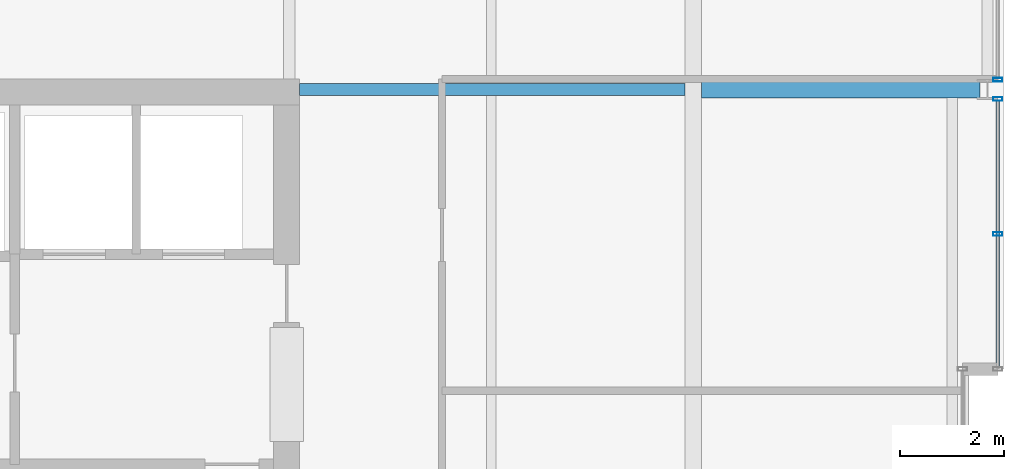
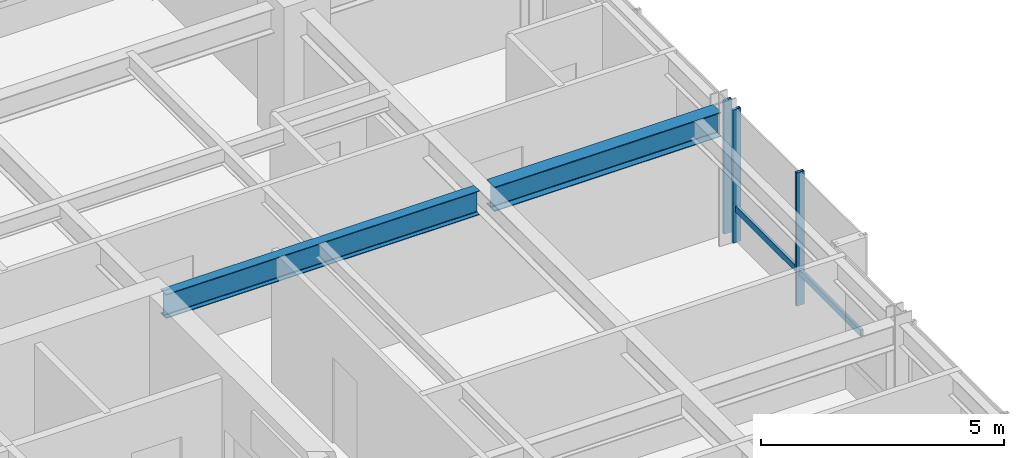
# One storey, part 22 of 32: 4 members, 2 beams, 2 elements without a shape of their own.
"""IFC4 building model written with IfcOpenShell, lengths in metres."""

from ifc_helpers import new_model, si_unit, direction, frame, origin, origin_2d, place, context, subcontext, project, spatial, hollow_rectangle, i_section, extrude, material, layer, layer_set, material_profile, profile_set, type_object, element, aggregate, save


model = new_model("IFC4")

# Units and contexts
model_context = context("Model", 3, precision=1e-05, world=origin(), true_north=direction((0.0, 1.0)))
body_context = subcontext(model_context, "Body", "Model", "MODEL_VIEW")
ifc_project = project(units=[si_unit("LENGTHUNIT", "METRE"), si_unit("AREAUNIT", "SQUARE_METRE"), si_unit("VOLUMEUNIT", "CUBIC_METRE"), si_unit("PLANEANGLEUNIT", "RADIAN"), si_unit("MASSUNIT", "GRAM", prefix="KILO")], contexts=[model_context])

# Site, building, storey
site_placement = place(None, origin())
site = spatial("IfcSite", under=ifc_project, at=site_placement, CompositionType="ELEMENT")
building_placement = place(site_placement, origin())
building = spatial("IfcBuilding", under=site, at=building_placement, Name="Drelvath Grand Hotel", CompositionType="ELEMENT")
storey_placement = place(building_placement, frame((0.0, 0.0, 226.699951171875)))
storey = spatial("IfcBuildingStorey", under=building, at=storey_placement, Name="L59", CompositionType="ELEMENT", Elevation=226.699951171875)

# Curtain wall, members
ifc_material_1 = material(Name="Platinum-Mist Anodised Aluminium Frame", Category="aluminium")
ifc_layer = layer(ifc_material_1, 0.199951171875)
ifc_layer_set = layer_set([ifc_layer], Name="Platinum-Mist Anodised Aluminium Frame")
curtain_wall_type = type_object("IfcCurtainWallType", Name="Stick Curtain Wall CW-05 Platinum Mist High-Rise", PredefinedType="NOTDEFINED", material=ifc_layer_set)
curtain_wall_1_placement = place(storey_placement, origin())
curtain_wall_1 = element("IfcCurtainWall", 1, at=curtain_wall_1_placement, inside=storey, type_object=curtain_wall_type, Name="L59 CW-05 Curtain Wall CW05-L59-EN1", PredefinedType="NOTDEFINED")
ifc_material_profile_1 = material_profile(ifc_material_1, hollow_rectangle(XDim=0.06494140625, YDim=0.159912109375, WallThickness=0.00390625, at=origin_2d()), Name="HSS160X65X4")
ifc_profile_set_1 = profile_set([ifc_material_profile_1], Name="Platinum-Mist Anodised Aluminium Frame")
member_type_1 = type_object("IfcMemberType", Name="Curtain Wall Horizontal Transom CW-05 HSS160X65X4", PredefinedType="USERDEFINED", material=ifc_profile_set_1)
member_1_placement = place(storey_placement, frame((22.080078125, 35.1748046875, 0.8349609375), z_axis=(0.0, -1.0, 0.0), x_axis=(1.0, 0.0, 0.0)))
member_1 = element("IfcMember", 2, at=member_1_placement, type_object=member_type_1, Name="CW05-L59-EN1 Sill Transom", ObjectType="TRANSOM", PredefinedType="USERDEFINED", context=body_context, shape_type="SweptSolid", body=[
    extrude(hollow_rectangle(XDim=0.06494140625, YDim=0.159912109375, WallThickness=0.00390625, at=origin_2d()), origin(), (0.0, 0.0, 1.0), 5.134765625),
])
ifc_material_profile_2 = material_profile(ifc_material_1, hollow_rectangle(XDim=0.074951171875, YDim=0.179931640625, WallThickness=0.0048828125, at=origin_2d()), Name="HSS180X75X5")
ifc_profile_set_2 = profile_set([ifc_material_profile_2], Name="Platinum-Mist Anodised Aluminium Frame")
member_type_2 = type_object("IfcMemberType", Name="Curtain Wall Vertical Mullion CW-05 HSS180X75X5", PredefinedType="MULLION", material=ifc_profile_set_2)
member_2_placement = place(storey_placement, frame((22.080078125, 35.214599609375, 0.0), z_axis=(0.0, 0.0, 1.0), x_axis=(0.0, 1.0, 0.0)))
member_2 = element("IfcMember", 3, at=member_2_placement, type_object=member_type_2, Name="CW05-L59-EN1 Mullion 1", PredefinedType="MULLION", context=body_context, shape_type="SweptSolid", body=[
    extrude(hollow_rectangle(XDim=0.074951171875, YDim=0.179931640625, WallThickness=0.0048828125, at=origin_2d()), origin(), (0.0, 0.0, 1.0), 3.340087890625),
])
member_3_placement = place(storey_placement, frame((22.080078125, 32.607421875, 0.0), z_axis=(0.0, 0.0, 1.0), x_axis=(0.0, 1.0, 0.0)))
member_3 = element("IfcMember", 4, at=member_3_placement, type_object=member_type_2, Name="CW05-L59-EN1 Mullion 2", PredefinedType="MULLION", context=body_context, shape_type="SweptSolid", body=[
    extrude(hollow_rectangle(XDim=0.074951171875, YDim=0.179931640625, WallThickness=0.0048828125, at=origin_2d()), origin(), (0.0, 0.0, 1.0), 3.340087890625),
])
aggregate(curtain_wall_1, [member_2, member_3, member_1])

# Curtain wall, member
curtain_wall_2_placement = place(storey_placement, origin())
curtain_wall_2 = element("IfcCurtainWall", 5, at=curtain_wall_2_placement, inside=storey, type_object=curtain_wall_type, Name="L59 CW-05 Curtain Wall CW05-L59-EN2", PredefinedType="NOTDEFINED")
member_4_placement = place(storey_placement, frame((22.080078125, 35.585205078125, 0.0), z_axis=(0.0, 0.0, 1.0), x_axis=(0.0, 1.0, 0.0)))
member_4 = element("IfcMember", 6, at=member_4_placement, type_object=member_type_2, Name="CW05-L59-EN2 Mullion 3", PredefinedType="MULLION", context=body_context, shape_type="SweptSolid", body=[
    extrude(hollow_rectangle(XDim=0.074951171875, YDim=0.179931640625, WallThickness=0.0048828125, at=origin_2d()), origin(), (0.0, 0.0, 1.0), 3.340087890625),
])
aggregate(curtain_wall_2, [member_4])

# Beams
ifc_material_2 = material(Name="Steel ASTM A992 Gr 50", Category="steel")
ifc_material_profile_3 = material_profile(ifc_material_2, i_section(OverallWidth=0.323974609375, OverallDepth=0.611083984375, WebThickness=0.0126953125, FlangeThickness=0.01904296875, FilletRadius=0.02197265625, at=origin_2d()), Name="W24X104")
ifc_profile_set_3 = profile_set([ifc_material_profile_3], Name="Steel ASTM A992 Gr 50")
beam_type_1 = type_object("IfcBeamType", Name="Primary Floor Girder W24X104", PredefinedType="BEAM", material=ifc_profile_set_3)
beam_1_placement = place(storey_placement, frame((16.362060546875, 35.39990234375, 3.034423828125), z_axis=(1.0, 0.0, 0.0), x_axis=(0.0, 1.0, 0.0)))
element("IfcBeam", 7, at=beam_1_placement, inside=storey, type_object=beam_type_1, Name="L59 East Wing Girder F", PredefinedType="BEAM", context=body_context, shape_type="SweptSolid", body=[
    extrude(i_section(OverallWidth=0.323974609375, OverallDepth=0.611083984375, WebThickness=0.0126953125, FlangeThickness=0.01904296875, FilletRadius=0.02197265625, at=origin_2d()), origin(), (0.0, 0.0, 1.0), 5.3779296875),
])
ifc_material_profile_4 = material_profile(ifc_material_2, i_section(OverallWidth=0.228271484375, OverallDepth=0.607666015625, WebThickness=0.01123046875, FlangeThickness=0.017333984375, FilletRadius=0.02001953125, at=origin_2d()), Name="W24X76")
ifc_profile_set_4 = profile_set([ifc_material_profile_4], Name="Steel ASTM A992 Gr 50")
beam_type_2 = type_object("IfcBeamType", Name="Primary Floor Girder W24X76", PredefinedType="BEAM", material=ifc_profile_set_4)
beam_2_placement = place(storey_placement, frame((8.60009765625, 35.39990234375, 3.0361328125), z_axis=(1.0, 0.0, 0.0), x_axis=(0.0, 1.0, 0.0)))
element("IfcBeam", 8, at=beam_2_placement, inside=storey, type_object=beam_type_2, Name="L59 East Core Tie F", PredefinedType="BEAM", context=body_context, shape_type="SweptSolid", body=[
    extrude(i_section(OverallWidth=0.228271484375, OverallDepth=0.607666015625, WebThickness=0.01123046875, FlangeThickness=0.017333984375, FilletRadius=0.02001953125, at=origin_2d()), origin(), (0.0, 0.0, 1.0), 7.43798828125),
])

save(model, "model.ifc")
